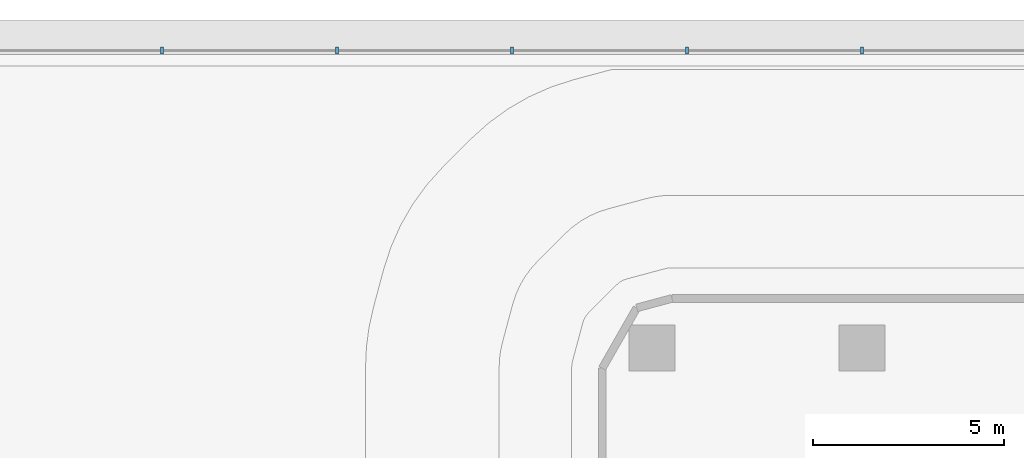
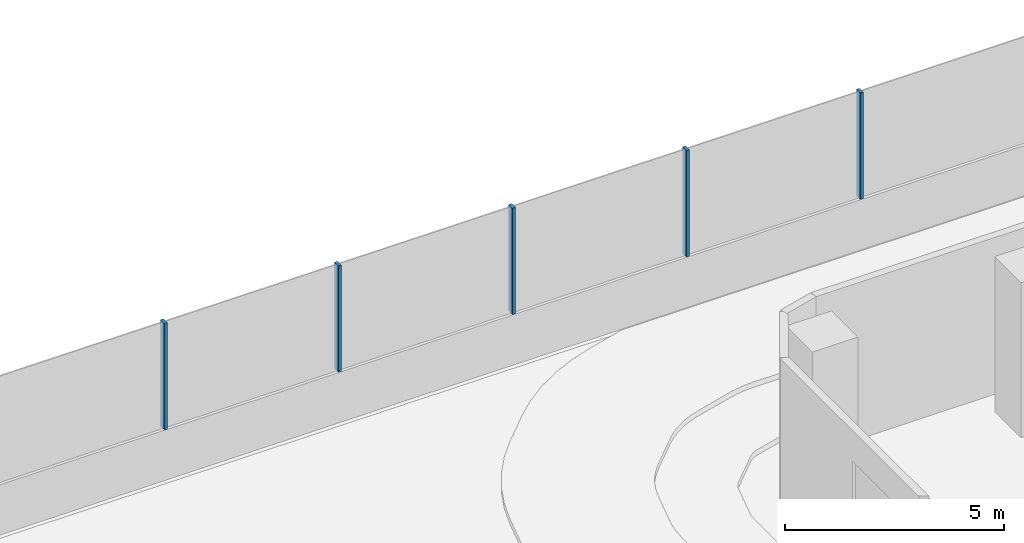
# One storey, part 15 of 37: 5 members, 1 element without a shape of its own.
"""IFC4 building model written with IfcOpenShell, lengths in metres."""

from ifc_helpers import new_model, si_unit, direction, frame, origin, origin_2d, place, context, subcontext, project, spatial, rectangle, extrude, material, layer, layer_set, material_profile, profile_set, type_object, element, aggregate, save


model = new_model("IFC4")

# Units and contexts
model_context = context("Model", 3, precision=1e-05, world=origin(), true_north=direction((0.0, 1.0)))
body_context = subcontext(model_context, "Body", "Model", "MODEL_VIEW")
ifc_project = project(units=[si_unit("LENGTHUNIT", "METRE"), si_unit("AREAUNIT", "SQUARE_METRE"), si_unit("VOLUMEUNIT", "CUBIC_METRE"), si_unit("PLANEANGLEUNIT", "RADIAN"), si_unit("MASSUNIT", "GRAM", prefix="KILO")], contexts=[model_context])

# Site, building, storey
site_placement = place(None, origin())
site = spatial("IfcSite", under=ifc_project, at=site_placement, CompositionType="ELEMENT")
building_placement = place(site_placement, origin())
building = spatial("IfcBuilding", under=site, at=building_placement, Name="Tamarind Cross Interchange Tower", CompositionType="ELEMENT")
storey_placement = place(building_placement, frame((0.0, 0.0, 29.5)))
storey = spatial("IfcBuildingStorey", under=building, at=storey_placement, Name="L05", CompositionType="ELEMENT", Elevation=29.5)

# Curtain wall, members
ifc_material = material(Name="Aluminium 6063-T6", Category="aluminium")
ifc_layer = layer(ifc_material, 0.179931640625)
ifc_layer_set = layer_set([ifc_layer], Name="Aluminium 6063-T6")
curtain_wall_type = type_object("IfcCurtainWallType", Name="Sky lobby curtain wall, fire-resisting glazing", PredefinedType="NOTDEFINED", material=ifc_layer_set)
curtain_wall_placement = place(storey_placement, origin())
curtain_wall = element("IfcCurtainWall", 1, at=curtain_wall_placement, inside=storey, type_object=curtain_wall_type, Name="CWS-L05-02", PredefinedType="NOTDEFINED")
ifc_material_profile = material_profile(ifc_material, rectangle(XDim=0.080078125, YDim=0.179931640625, at=origin_2d()), Name="Mullion CW4")
ifc_profile_set = profile_set([ifc_material_profile], Name="Aluminium 6063-T6")
member_type = type_object("IfcMemberType", Name="Mullion CW4", PredefinedType="MULLION", material=ifc_profile_set)
member_1_placement = place(storey_placement, frame((0.0, 55.800048828125, 1.39990234375), z_axis=(0.0, 0.0, 1.0), x_axis=(-1.0, 0.0, 0.0)))
member_1 = element("IfcMember", 2, at=member_1_placement, type_object=member_type, Name="CWM-L05-02-12", PredefinedType="MULLION", context=body_context, shape_type="SweptSolid", body=[
    extrude(rectangle(XDim=0.080078125, YDim=0.179931640625, at=origin_2d()), origin(), (0.0, 0.0, 1.0), 2.960205078125),
])
member_2_placement = place(storey_placement, frame((-4.58203125, 55.800048828125, 1.39990234375), z_axis=(0.0, 0.0, 1.0), x_axis=(-1.0, 0.0, 0.0)))
member_2 = element("IfcMember", 3, at=member_2_placement, type_object=member_type, Name="CWM-L05-02-13", PredefinedType="MULLION", context=body_context, shape_type="SweptSolid", body=[
    extrude(rectangle(XDim=0.080078125, YDim=0.179931640625, at=origin_2d()), origin(), (0.0, 0.0, 1.0), 2.960205078125),
])
member_3_placement = place(storey_placement, frame((-9.1640625, 55.800048828125, 1.39990234375), z_axis=(0.0, 0.0, 1.0), x_axis=(-1.0, 0.0, 0.0)))
member_3 = element("IfcMember", 4, at=member_3_placement, type_object=member_type, Name="CWM-L05-02-14", PredefinedType="MULLION", context=body_context, shape_type="SweptSolid", body=[
    extrude(rectangle(XDim=0.080078125, YDim=0.179931640625, at=origin_2d()), origin(), (0.0, 0.0, 1.0), 2.960205078125),
])
member_4_placement = place(storey_placement, frame((-13.74609375, 55.800048828125, 1.39990234375), z_axis=(0.0, 0.0, 1.0), x_axis=(-1.0, 0.0, 0.0)))
member_4 = element("IfcMember", 5, at=member_4_placement, type_object=member_type, Name="CWM-L05-02-15", PredefinedType="MULLION", context=body_context, shape_type="SweptSolid", body=[
    extrude(rectangle(XDim=0.080078125, YDim=0.179931640625, at=origin_2d()), origin(), (0.0, 0.0, 1.0), 2.960205078125),
])
member_5_placement = place(storey_placement, frame((-18.328125, 55.800048828125, 1.39990234375), z_axis=(0.0, 0.0, 1.0), x_axis=(-1.0, 0.0, 0.0)))
member_5 = element("IfcMember", 6, at=member_5_placement, type_object=member_type, Name="CWM-L05-02-16", PredefinedType="MULLION", context=body_context, shape_type="SweptSolid", body=[
    extrude(rectangle(XDim=0.080078125, YDim=0.179931640625, at=origin_2d()), origin(), (0.0, 0.0, 1.0), 2.960205078125),
])
aggregate(curtain_wall, [member_1, member_2, member_3, member_4, member_5])

save(model, "model.ifc")
